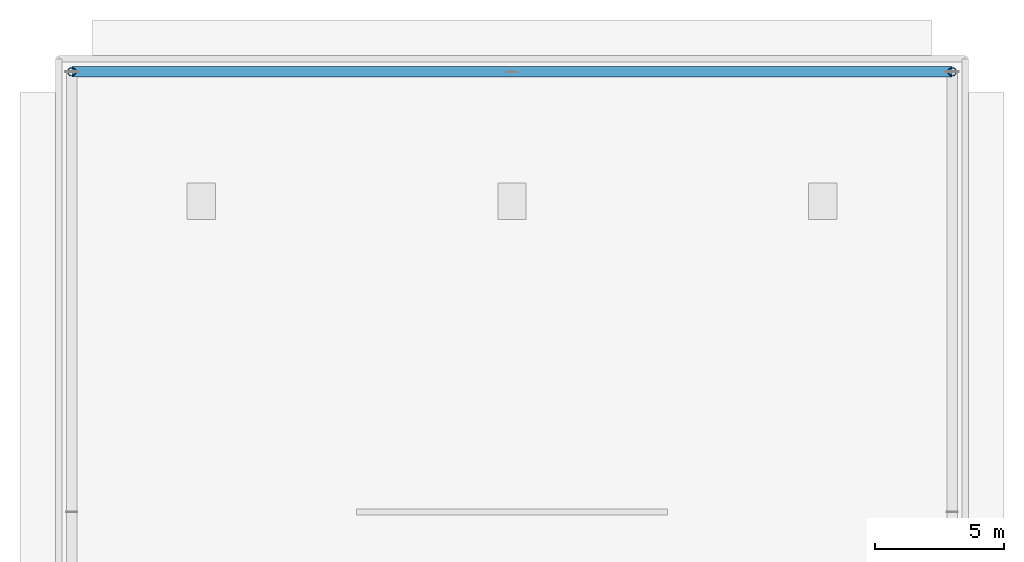
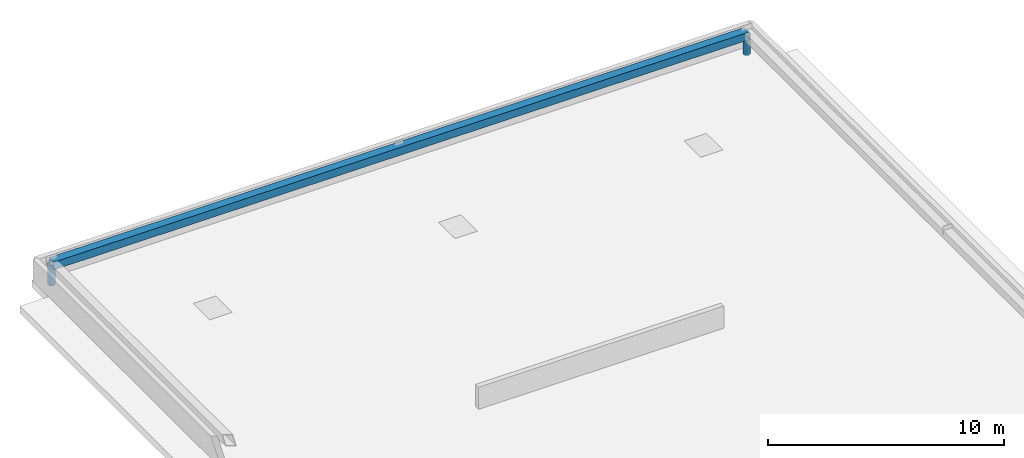
# One storey, part 4 of 9: 3 members.
"""IFC4 building model written with IfcOpenShell, lengths in metres."""

from ifc_helpers import new_model, si_unit, direction, frame, origin, origin_2d, place, context, subcontext, project, spatial, hollow_rectangle, hollow_circle, extrude, source, transform, mapped, material, material_profile, profile_set, type_object, element, save


model = new_model("IFC4")

# Units and contexts
model_context = context("Model", 3, precision=1e-05, world=origin(), true_north=direction((0.0, 1.0)))
body_context = subcontext(model_context, "Body", "Model", "MODEL_VIEW")
ifc_project = project(units=[si_unit("LENGTHUNIT", "METRE"), si_unit("AREAUNIT", "SQUARE_METRE"), si_unit("VOLUMEUNIT", "CUBIC_METRE"), si_unit("PLANEANGLEUNIT", "RADIAN"), si_unit("MASSUNIT", "GRAM", prefix="KILO")], contexts=[model_context])

# Site, building, storey
site_placement = place(None, origin())
site = spatial("IfcSite", under=ifc_project, at=site_placement, CompositionType="ELEMENT")
building_placement = place(site_placement, origin())
building = spatial("IfcBuilding", under=site, at=building_placement, Name="Nahalor Promenade Grand Hotel", CompositionType="ELEMENT")
storey_placement = place(building_placement, frame((0.0, 0.0, 375.449951171875)))
storey = spatial("IfcBuildingStorey", under=building, at=storey_placement, Name="RF", CompositionType="ELEMENT", Elevation=375.449951171875)

# Members
ifc_material = material(Name="Steel S355JR", Category="steel")
ifc_material_profile_1 = material_profile(ifc_material, hollow_rectangle(XDim=0.4, YDim=0.4, WallThickness=0.022, at=origin_2d()), Name="SHS 400x400x22")
ifc_profile_set_1 = profile_set([ifc_material_profile_1], Name="Steel S355JR")
member_type_1 = type_object("IfcMemberType", Name="Mem-ExoBrace-SHS400", PredefinedType="BRACE", material=ifc_profile_set_1)
shared_shape_1 = source(origin(), body_context, "Body", "SweptSolid", [
    extrude(hollow_rectangle(XDim=0.4, YDim=0.4, WallThickness=0.022, at=origin_2d()), origin(), (0.0, 0.0, 1.0), 34.0),
])
member_placement = place(storey_placement, frame((17.0, 17.0, 1.0), z_axis=(-1.0, 0.0, 0.0), x_axis=(0.0, -1.0, 0.0)))
element("IfcMember", 1, at=member_placement, inside=storey, type_object=member_type_1, Name="RF-CORNICE-2", PredefinedType="BRACE", context=body_context, shape_type="MappedRepresentation", body=[
    mapped(shared_shape_1, transform((0.0, 0.0, 0.0), scale=1.0)),
])
ifc_material_profile_2 = material_profile(ifc_material, hollow_circle(Radius=0.16195, WallThickness=0.016, at=origin_2d()), Name="CHS 323.9x16")
ifc_profile_set_2 = profile_set([ifc_material_profile_2], Name="Steel S355JR")
member_type_2 = type_object("IfcMemberType", Name="Mem-CornicePost-CHS324", PredefinedType="STRUT", material=ifc_profile_set_2)
shared_shape_2 = source(origin(), body_context, "Body", "SweptSolid", [
    extrude(hollow_circle(Radius=0.16195, WallThickness=0.016, at=origin_2d()), origin(), (0.0, 0.0, 1.0), 1.044921875),
])
for number, where, z_axis, x_axis, name in (
    (2, (17.0, 17.0, -0.044921875), (0.0, 0.0, 1.0), (1.0, 0.0, 0.0), "RF-CPOST-2"),
    (3, (-17.0, 17.0, -0.044921875), (0.0, 0.0, 1.0), (1.0, 0.0, 0.0), "RF-CPOST-3"),
):
    element("IfcMember", number, at=place(storey_placement, frame(where, z_axis=z_axis, x_axis=x_axis)), inside=storey, type_object=member_type_2, Name=name, PredefinedType="STRUT", context=body_context, shape_type="MappedRepresentation", body=[
        mapped(shared_shape_2, transform((0.0, 0.0, 0.0), scale=1.0)),
    ])

save(model, "model.ifc")
